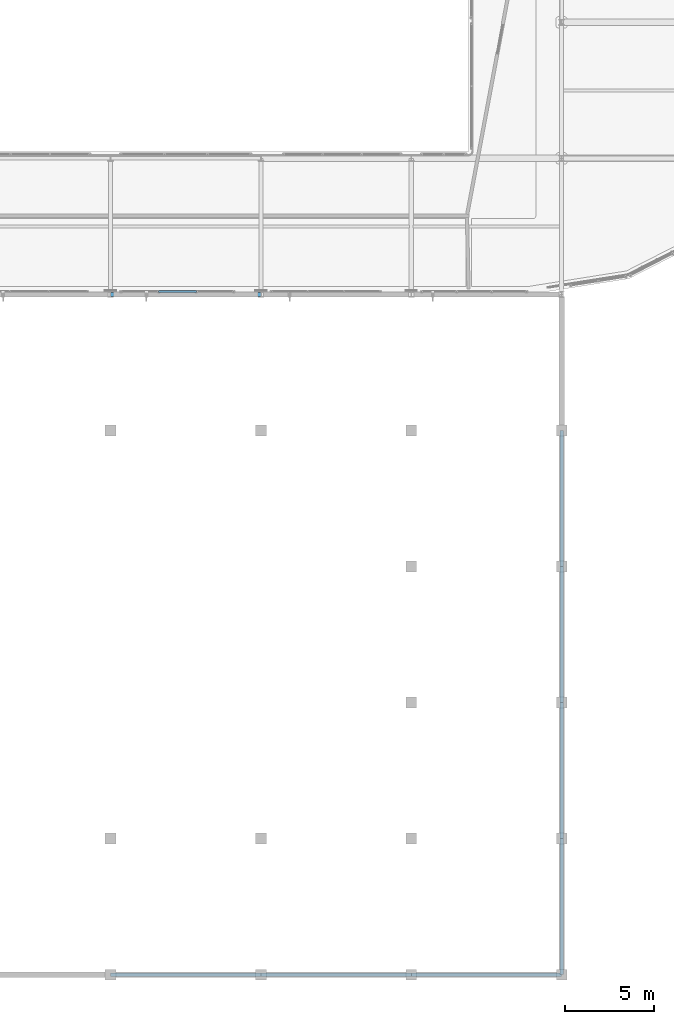
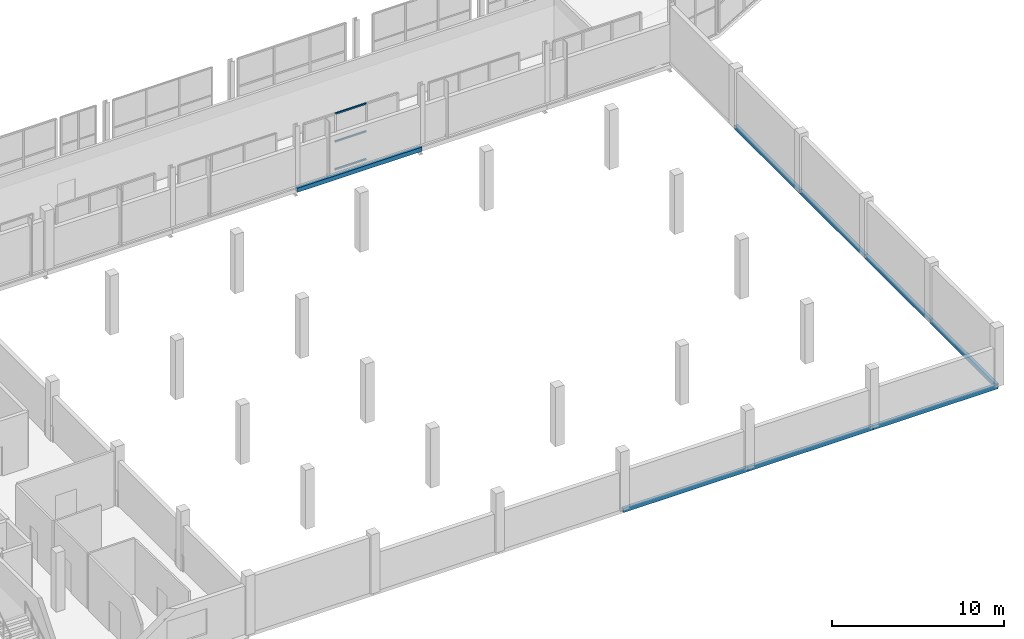
# One storey, part 82 of 151: 8 beams, 3 members, 1 element without a shape of its own.
"""IFC4 building model written with IfcOpenShell, lengths in metres."""

from ifc_helpers import new_model, si_unit, direction, frame, origin, origin_2d, place, context, subcontext, project, spatial, hollow_rectangle, extrude, material, material_profile, profile_set, type_object, element, aggregate, save


model = new_model("IFC4")

# Units and contexts
model_context = context("Model", 3, precision=1e-05, world=origin(), true_north=direction((0.0, 1.0)))
body_context = subcontext(model_context, "Body", "Model", "MODEL_VIEW")
ifc_project = project(units=[si_unit("LENGTHUNIT", "METRE"), si_unit("AREAUNIT", "SQUARE_METRE"), si_unit("VOLUMEUNIT", "CUBIC_METRE"), si_unit("PLANEANGLEUNIT", "RADIAN"), si_unit("MASSUNIT", "GRAM", prefix="KILO")], contexts=[model_context])

# Site, building, storey
site_placement = place(None, origin())
site = spatial("IfcSite", under=ifc_project, at=site_placement, CompositionType="ELEMENT")
building_placement = place(site_placement, origin())
building = spatial("IfcBuilding", under=site, at=building_placement, Name="Zuvorla Pavilion Media Centre", CompositionType="ELEMENT")
storey_placement = place(building_placement, frame((0.0, 0.0, 13.800048828125)))
storey = spatial("IfcBuildingStorey", under=building, at=storey_placement, Name="L03", CompositionType="ELEMENT", Elevation=13.800048828125)

# Beams
ifc_material_1 = material(Name="Steel S355", Category="steel")
ifc_material_profile_1 = material_profile(ifc_material_1, hollow_rectangle(XDim=0.199951171875, YDim=0.300048828125, WallThickness=0.012451171875, at=origin_2d()), Name="RHS 300x200x12.5")
ifc_profile_set_1 = profile_set([ifc_material_profile_1], Name="Steel S355")
beam_type = type_object("IfcBeamType", Name="BM-SP-RHS300", PredefinedType="SPANDREL", material=ifc_profile_set_1)
for number, where, z_axis, x_axis, name in (
    (1, (134.0, 44.0, -0.407958984375), (1.0, 0.0, 0.0), (0.0, 1.0, 0.0), "L03 spandrel SP01 1088"),
    (2, (134.0, 6.0, -0.150146484375), (1.0, 0.0, 0.0), (0.0, 1.0, 0.0), "L03 spandrel SP01 1771"),
):
    element("IfcBeam", number, at=place(storey_placement, frame(where, z_axis=z_axis, x_axis=x_axis)), inside=storey, type_object=beam_type, Name=name, PredefinedType="SPANDREL", context=body_context, shape_type="SweptSolid", body=[
        extrude(hollow_rectangle(XDim=0.199951171875, YDim=0.300048828125, WallThickness=0.012451171875, at=origin_2d()), origin(), (0.0, 0.0, 1.0), 8.39990234375),
    ])
beam_1_placement = place(storey_placement, frame((142.39990234375, 6.0, -0.150146484375), z_axis=(1.0, 0.0, 0.0), x_axis=(0.0, 1.0, 0.0)))
element("IfcBeam", 3, at=beam_1_placement, inside=storey, type_object=beam_type, Name="L03 spandrel SP01 1772", PredefinedType="SPANDREL", context=body_context, shape_type="SweptSolid", body=[
    extrude(hollow_rectangle(XDim=0.199951171875, YDim=0.300048828125, WallThickness=0.012451171875, at=origin_2d()), origin(), (0.0, 0.0, 1.0), 8.400146484375),
])
beam_2_placement = place(storey_placement, frame((150.800048828125, 6.0, -0.150146484375), z_axis=(1.0, 0.0, 0.0), x_axis=(0.0, 1.0, 0.0)))
element("IfcBeam", 4, at=beam_2_placement, inside=storey, type_object=beam_type, Name="L03 spandrel SP01 1773", PredefinedType="SPANDREL", context=body_context, shape_type="SweptSolid", body=[
    extrude(hollow_rectangle(XDim=0.199951171875, YDim=0.300048828125, WallThickness=0.012451171875, at=origin_2d()), origin(), (0.0, 0.0, 1.0), 8.39990234375),
])
beam_3_placement = place(storey_placement, frame((159.199951171875, 6.0, -0.150146484375), z_axis=(0.0, 1.0, 0.0), x_axis=(-1.0, 0.0, 0.0)))
element("IfcBeam", 5, at=beam_3_placement, inside=storey, type_object=beam_type, Name="L03 spandrel SP01 1774", PredefinedType="SPANDREL", context=body_context, shape_type="SweptSolid", body=[
    extrude(hollow_rectangle(XDim=0.199951171875, YDim=0.300048828125, WallThickness=0.012451171875, at=origin_2d()), origin(), (0.0, 0.0, 1.0), 7.60009765625),
])
beam_4_placement = place(storey_placement, frame((159.199951171875, 13.60009765625, -0.150146484375), z_axis=(0.0, 1.0, 0.0), x_axis=(-1.0, 0.0, 0.0)))
element("IfcBeam", 6, at=beam_4_placement, inside=storey, type_object=beam_type, Name="L03 spandrel SP01 1775", PredefinedType="SPANDREL", context=body_context, shape_type="SweptSolid", body=[
    extrude(hollow_rectangle(XDim=0.199951171875, YDim=0.300048828125, WallThickness=0.012451171875, at=origin_2d()), origin(), (0.0, 0.0, 1.0), 7.599853515625),
])
beam_5_placement = place(storey_placement, frame((159.199951171875, 21.199951171875, -0.150146484375), z_axis=(0.0, 1.0, 0.0), x_axis=(-1.0, 0.0, 0.0)))
element("IfcBeam", 7, at=beam_5_placement, inside=storey, type_object=beam_type, Name="L03 spandrel SP01 1776", PredefinedType="SPANDREL", context=body_context, shape_type="SweptSolid", body=[
    extrude(hollow_rectangle(XDim=0.199951171875, YDim=0.300048828125, WallThickness=0.012451171875, at=origin_2d()), origin(), (0.0, 0.0, 1.0), 7.60009765625),
])
beam_6_placement = place(storey_placement, frame((159.199951171875, 28.800048828125, -0.150146484375), z_axis=(0.0, 1.0, 0.0), x_axis=(-1.0, 0.0, 0.0)))
element("IfcBeam", 8, at=beam_6_placement, inside=storey, type_object=beam_type, Name="L03 spandrel SP01 1777", PredefinedType="SPANDREL", context=body_context, shape_type="SweptSolid", body=[
    extrude(hollow_rectangle(XDim=0.199951171875, YDim=0.300048828125, WallThickness=0.012451171875, at=origin_2d()), origin(), (0.0, 0.0, 1.0), 7.599853515625),
])

# Curtain wall, members
ifc_material_2 = material(Name="Unitised anodised aluminium and solar glass curtain wall", Category="aluminium")
curtain_wall_type = type_object("IfcCurtainWallType", Name="CW-SYS-12", PredefinedType="USERDEFINED", material=ifc_material_2)
curtain_wall_placement = place(storey_placement, origin())
curtain_wall = element("IfcCurtainWall", 9, at=curtain_wall_placement, inside=storey, type_object=curtain_wall_type, Name="L03 curtain wall CW12 145", ObjectType="CURTAIN WALL", PredefinedType="USERDEFINED")
ifc_material_3 = material(Name="Anodised aluminium 6063-T6", Category="aluminium")
ifc_material_profile_2 = material_profile(ifc_material_3, hollow_rectangle(XDim=0.10009765625, YDim=0.10009765625, WallThickness=0.00439453125, at=origin_2d()), Name="ALU TRAN 100x100")
ifc_profile_set_2 = profile_set([ifc_material_profile_2], Name="Anodised aluminium 6063-T6")
member_type = type_object("IfcMemberType", Name="CW-TRAN-100", PredefinedType="USERDEFINED", material=ifc_profile_set_2)
member_1_placement = place(storey_placement, frame((136.6845703125, 44.159912109375, 0.0), z_axis=(1.0, 0.0, 0.0), x_axis=(0.0, 1.0, 0.0)))
member_1 = element("IfcMember", 10, at=member_1_placement, type_object=member_type, Name="CW12 transom 2.1", ObjectType="TRANSOM", PredefinedType="USERDEFINED", context=body_context, shape_type="SweptSolid", body=[
    extrude(hollow_rectangle(XDim=0.10009765625, YDim=0.10009765625, WallThickness=0.00439453125, at=origin_2d()), origin(), (0.0, 0.0, 1.0), 2.102783203125),
])
member_2_placement = place(storey_placement, frame((136.6845703125, 44.159912109375, 1.97998046875), z_axis=(1.0, 0.0, 0.0), x_axis=(0.0, 1.0, 0.0)))
member_2 = element("IfcMember", 11, at=member_2_placement, type_object=member_type, Name="CW12 transom 2.2", ObjectType="TRANSOM", PredefinedType="USERDEFINED", context=body_context, shape_type="SweptSolid", body=[
    extrude(hollow_rectangle(XDim=0.10009765625, YDim=0.10009765625, WallThickness=0.00439453125, at=origin_2d()), origin(), (0.0, 0.0, 1.0), 2.102783203125),
])
member_3_placement = place(storey_placement, frame((136.6845703125, 44.159912109375, 3.9599609375), z_axis=(1.0, 0.0, 0.0), x_axis=(0.0, 1.0, 0.0)))
member_3 = element("IfcMember", 12, at=member_3_placement, type_object=member_type, Name="CW12 transom 2.3", ObjectType="TRANSOM", PredefinedType="USERDEFINED", context=body_context, shape_type="SweptSolid", body=[
    extrude(hollow_rectangle(XDim=0.10009765625, YDim=0.10009765625, WallThickness=0.00439453125, at=origin_2d()), origin(), (0.0, 0.0, 1.0), 2.102783203125),
])
aggregate(curtain_wall, [member_1, member_2, member_3])

save(model, "model.ifc")
